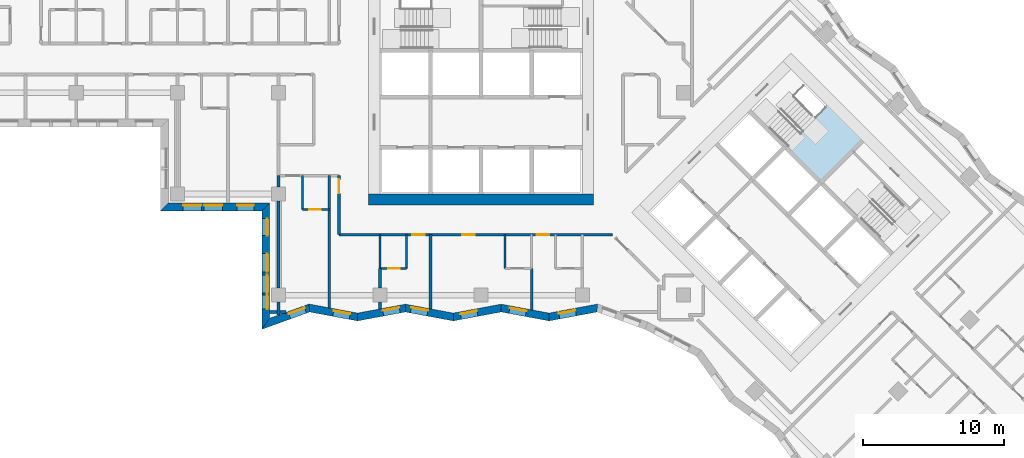
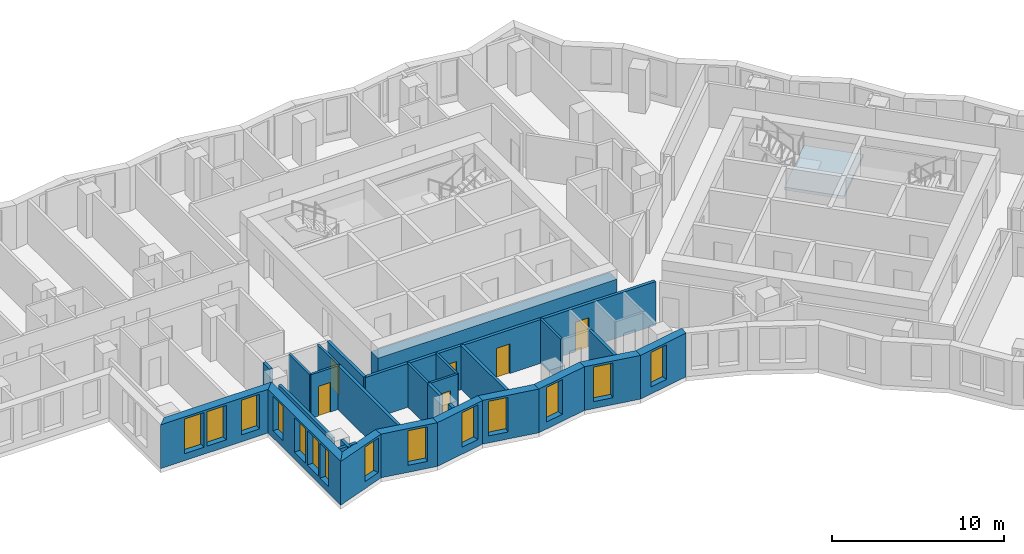
# One storey, part 2 of 14: 28 walls, 14 windows, 6 doors, 1 slab, 20 openings, 1 element without a shape of its own.
"""IFC4 building model written with IfcOpenShell, lengths in metres."""

from ifc_helpers import new_model, si_unit, direction, frame, frame_2d, origin, place, context, subcontext, project, spatial, polyline, rectangle, outline, extrude, material, layer, layer_set, type_object, element, fill, aggregate, save


model = new_model("IFC4")

# Units and contexts
model_context = context("Model", 3, precision=1e-05, world=origin(), true_north=direction((0.0, 1.0)))
body_context = subcontext(model_context, "Body", "Model", "MODEL_VIEW")
ifc_project = project(units=[si_unit("LENGTHUNIT", "METRE"), si_unit("AREAUNIT", "SQUARE_METRE"), si_unit("VOLUMEUNIT", "CUBIC_METRE"), si_unit("PLANEANGLEUNIT", "RADIAN"), si_unit("MASSUNIT", "GRAM", prefix="KILO")], contexts=[model_context])

# Site, building, storey
site_placement = place(None, origin())
site = spatial("IfcSite", under=ifc_project, at=site_placement, CompositionType="ELEMENT")
building_placement = place(site_placement, origin())
building = spatial("IfcBuilding", under=site, at=building_placement, Name="Windrow Commons", CompositionType="ELEMENT")
storey_placement = place(building_placement, frame((0.0, 0.0, 118.6)))
storey = spatial("IfcBuildingStorey", under=building, at=storey_placement, Name="L32", CompositionType="ELEMENT", Elevation=118.6)

# Stair, slab
ifc_material_1 = material(Name="Concrete C40/50", Category="concrete")
stair_type = type_object("IfcStairType", Name="Core stair", PredefinedType="HALF_TURN_STAIR", material=ifc_material_1)
stair_placement = place(storey_placement, origin())
stair = element("IfcStair", 1, at=stair_placement, inside=storey, type_object=stair_type, Name="L32 Exit stair B1 core B", PredefinedType="HALF_TURN_STAIR")
ifc_material_2 = material(Name="Concrete C40/50", Category="concrete")
ifc_layer_1 = layer(ifc_material_2, 0.2)
ifc_layer_set_1 = layer_set([ifc_layer_1], Name="Core stair landing")
slab_type = type_object("IfcSlabType", Name="Core stair landing", PredefinedType="LANDING", material=ifc_layer_set_1)
slab_placement = place(storey_placement, frame((0.0, 0.0, 1.5)))
slab = element("IfcSlab", 2, at=slab_placement, type_object=slab_type, Name="ST-B1 landing 1", PredefinedType="LANDING", context=body_context, shape_type="SweptSolid", body=[
    extrude(outline(polyline([(86.3559, 53.6718), (88.8874, 51.1403), (91.9986, 54.2516), (89.4672, 56.7831), (86.3559, 53.6718)])), origin(), (0.0, 0.0, 1.0), 0.2),
])
aggregate(stair, [slab])

# Wall, openings, windows
ifc_material_3 = material(Name="Brick masonry, red clay brick", Category="masonry")
ifc_layer_2 = layer(ifc_material_3, 0.55)
ifc_layer_set_2 = layer_set([ifc_layer_2], Name="Brick facade wall 550")
wall_type_1 = type_object("IfcWallType", Name="Brick facade wall 550", PredefinedType="SOLIDWALL", material=ifc_layer_set_2)
wall_1_placement = place(storey_placement, frame((42.275, 49.475, 0.0), z_axis=(0.0, 0.0, 1.0), x_axis=(1.0, 0.0, 0.0)))
wall_1 = element("IfcWall", 3, at=wall_1_placement, inside=storey, type_object=wall_type_1, Name="Brick facade wall L32 42", PredefinedType="SOLIDWALL", context=body_context, shape_type="SweptSolid", body=[
    extrude(outline(polyline([(-0.275, -0.275), (6.925, -0.275), (7.475, 0.275), (0.275, 0.275), (-0.275, -0.275)])), origin(), (0.0, 0.0, 1.0), 3.1),
])
opening_1_placement = place(wall_1_placement, frame((1.325, 0.0, 0.5)))
opening_1 = element("IfcOpeningElement", 4, at=opening_1_placement, cuts=wall_1, Name="Opening W1P", PredefinedType="OPENING", context=body_context, shape_type="SweptSolid", body=[
    extrude(rectangle(XDim=1.3, YDim=2.45, at=frame_2d((0.65, 1.225))), frame((0.0, 0.285, 0.0), z_axis=(0.0, -1.0, 0.0), x_axis=(1.0, 0.0, 0.0)), (0.0, 0.0, 1.0), 0.57),
])
opening_2_placement = place(wall_1_placement, frame((2.825, 0.0, 0.5)))
opening_2 = element("IfcOpeningElement", 5, at=opening_2_placement, cuts=wall_1, Name="Opening W1P", PredefinedType="OPENING", context=body_context, shape_type="SweptSolid", body=[
    extrude(rectangle(XDim=1.3, YDim=2.45, at=frame_2d((0.65, 1.225))), frame((0.0, 0.285, 0.0), z_axis=(0.0, -1.0, 0.0), x_axis=(1.0, 0.0, 0.0)), (0.0, 0.0, 1.0), 0.57),
])
opening_3_placement = place(wall_1_placement, frame((5.1625, 0.0, 0.5)))
opening_3 = element("IfcOpeningElement", 6, at=opening_3_placement, cuts=wall_1, Name="Opening W7D", PredefinedType="OPENING", context=body_context, shape_type="SweptSolid", body=[
    extrude(rectangle(XDim=1.2, YDim=2.45, at=frame_2d((0.6, 1.225))), frame((0.0, 0.285, 0.0), z_axis=(0.0, -1.0, 0.0), x_axis=(1.0, 0.0, 0.0)), (0.0, 0.0, 1.0), 0.57),
])
ifc_material_4 = material(Name="Clear float glass in anodised aluminium frame", Category="aluminium")
window_type_1 = type_object("IfcWindowType", Name="Window W1P pair 1300x2450", PartitioningType="SINGLE_PANEL", PredefinedType="WINDOW", material=ifc_material_4)
window_1_placement = place(opening_1_placement, origin())
window_1 = element("IfcWindow", 7, at=window_1_placement, inside=storey, type_object=window_type_1, Name="Window L32 42.1A", OverallHeight=2.45, OverallWidth=1.3, PartitioningType="SINGLE_PANEL", PredefinedType="WINDOW", context=body_context, shape_type="SweptSolid", body=[
    extrude(rectangle(XDim=1.3, YDim=2.45, at=frame_2d((0.65, 1.225))), frame((0.0, 0.155, 0.0), z_axis=(0.0, -1.0, 0.0), x_axis=(1.0, 0.0, 0.0)), (0.0, 0.0, 1.0), 0.06),
])
fill(opening_1, window_1)
window_2_placement = place(opening_2_placement, origin())
window_2 = element("IfcWindow", 8, at=window_2_placement, inside=storey, type_object=window_type_1, Name="Window L32 42.1B", OverallHeight=2.45, OverallWidth=1.3, PartitioningType="SINGLE_PANEL", PredefinedType="WINDOW", context=body_context, shape_type="SweptSolid", body=[
    extrude(rectangle(XDim=1.3, YDim=2.45, at=frame_2d((0.65, 1.225))), frame((0.0, 0.155, 0.0), z_axis=(0.0, -1.0, 0.0), x_axis=(1.0, 0.0, 0.0)), (0.0, 0.0, 1.0), 0.06),
])
fill(opening_2, window_2)
ifc_material_5 = material(Name="Clear float glass in anodised aluminium frame", Category="aluminium")
window_type_2 = type_object("IfcWindowType", Name="Window W7 notch 1200x2450", PartitioningType="SINGLE_PANEL", PredefinedType="WINDOW", material=ifc_material_5)
window_3_placement = place(opening_3_placement, origin())
window_3 = element("IfcWindow", 9, at=window_3_placement, inside=storey, type_object=window_type_2, Name="Window L32 42.2", OverallHeight=2.45, OverallWidth=1.2, PartitioningType="SINGLE_PANEL", PredefinedType="WINDOW", context=body_context, shape_type="SweptSolid", body=[
    extrude(rectangle(XDim=1.2, YDim=2.45, at=frame_2d((0.6, 1.225))), frame((0.0, 0.155, 0.0), z_axis=(0.0, -1.0, 0.0), x_axis=(1.0, 0.0, 0.0)), (0.0, 0.0, 1.0), 0.06),
])
fill(opening_3, window_3)

wall_2_placement = place(storey_placement, frame((49.475, 49.475, 0.0), z_axis=(0.0, 0.0, 1.0), x_axis=(0.0, -1.0, 0.0)))
wall_2 = element("IfcWall", 10, at=wall_2_placement, inside=storey, type_object=wall_type_1, Name="Brick facade wall L32 43", PredefinedType="SOLIDWALL", context=body_context, shape_type="SweptSolid", body=[
    extrude(outline(polyline([(0.275, -0.275), (8.708, -0.275), (7.924, 0.275), (-0.275, 0.275), (0.275, -0.275)])), origin(), (0.0, 0.0, 1.0), 3.1),
])
opening_4_placement = place(wall_2_placement, frame((3.325, 0.0, 0.5)))
opening_4 = element("IfcOpeningElement", 11, at=opening_4_placement, cuts=wall_2, Name="Opening W1P", PredefinedType="OPENING", context=body_context, shape_type="SweptSolid", body=[
    extrude(rectangle(XDim=1.3, YDim=2.45, at=frame_2d((0.65, 1.225))), frame((0.0, 0.285, 0.0), z_axis=(0.0, -1.0, 0.0), x_axis=(1.0, 0.0, 0.0)), (0.0, 0.0, 1.0), 0.57),
])
opening_5_placement = place(wall_2_placement, frame((4.825, 0.0, 0.5)))
opening_5 = element("IfcOpeningElement", 12, at=opening_5_placement, cuts=wall_2, Name="Opening W1P", PredefinedType="OPENING", context=body_context, shape_type="SweptSolid", body=[
    extrude(rectangle(XDim=1.3, YDim=2.45, at=frame_2d((0.65, 1.225))), frame((0.0, 0.285, 0.0), z_axis=(0.0, -1.0, 0.0), x_axis=(1.0, 0.0, 0.0)), (0.0, 0.0, 1.0), 0.57),
])
opening_6_placement = place(wall_2_placement, frame((0.8375, 0.0, 0.5)))
opening_6 = element("IfcOpeningElement", 13, at=opening_6_placement, cuts=wall_2, Name="Opening W7D", PredefinedType="OPENING", context=body_context, shape_type="SweptSolid", body=[
    extrude(rectangle(XDim=1.2, YDim=2.45, at=frame_2d((0.6, 1.225))), frame((0.0, 0.285, 0.0), z_axis=(0.0, -1.0, 0.0), x_axis=(1.0, 0.0, 0.0)), (0.0, 0.0, 1.0), 0.57),
])
opening_7_placement = place(wall_2_placement, frame((6.275, 0.0, 0.45)))
opening_7 = element("IfcOpeningElement", 14, at=opening_7_placement, cuts=wall_2, Name="Opening W1S", PredefinedType="OPENING", context=body_context, shape_type="SweptSolid", body=[
    extrude(rectangle(XDim=1.0, YDim=2.5, at=frame_2d((0.5, 1.25))), frame((0.0, 0.285, 0.0), z_axis=(0.0, -1.0, 0.0), x_axis=(1.0, 0.0, 0.0)), (0.0, 0.0, 1.0), 0.57),
])
window_4_placement = place(opening_4_placement, origin())
window_4 = element("IfcWindow", 15, at=window_4_placement, inside=storey, type_object=window_type_1, Name="Window L32 43.1A", OverallHeight=2.45, OverallWidth=1.3, PartitioningType="SINGLE_PANEL", PredefinedType="WINDOW", context=body_context, shape_type="SweptSolid", body=[
    extrude(rectangle(XDim=1.3, YDim=2.45, at=frame_2d((0.65, 1.225))), frame((0.0, 0.155, 0.0), z_axis=(0.0, -1.0, 0.0), x_axis=(1.0, 0.0, 0.0)), (0.0, 0.0, 1.0), 0.06),
])
fill(opening_4, window_4)
window_5_placement = place(opening_5_placement, origin())
window_5 = element("IfcWindow", 16, at=window_5_placement, inside=storey, type_object=window_type_1, Name="Window L32 43.1B", OverallHeight=2.45, OverallWidth=1.3, PartitioningType="SINGLE_PANEL", PredefinedType="WINDOW", context=body_context, shape_type="SweptSolid", body=[
    extrude(rectangle(XDim=1.3, YDim=2.45, at=frame_2d((0.65, 1.225))), frame((0.0, 0.155, 0.0), z_axis=(0.0, -1.0, 0.0), x_axis=(1.0, 0.0, 0.0)), (0.0, 0.0, 1.0), 0.06),
])
fill(opening_5, window_5)
ifc_material_6 = material(Name="Clear float glass in anodised aluminium frame", Category="aluminium")
window_type_3 = type_object("IfcWindowType", Name="Window W1S slit 1000x2500", PartitioningType="SINGLE_PANEL", PredefinedType="WINDOW", material=ifc_material_6)
window_6_placement = place(opening_7_placement, origin())
window_6 = element("IfcWindow", 17, at=window_6_placement, inside=storey, type_object=window_type_3, Name="Window L32 43.3A", OverallHeight=2.5, OverallWidth=1.0, PartitioningType="SINGLE_PANEL", PredefinedType="WINDOW", context=body_context, shape_type="SweptSolid", body=[
    extrude(rectangle(XDim=1.0, YDim=2.5, at=frame_2d((0.5, 1.25))), frame((0.0, 0.155, 0.0), z_axis=(0.0, -1.0, 0.0), x_axis=(1.0, 0.0, 0.0)), (0.0, 0.0, 1.0), 0.06),
])
fill(opening_7, window_6)
window_7_placement = place(opening_6_placement, origin())
window_7 = element("IfcWindow", 18, at=window_7_placement, inside=storey, type_object=window_type_2, Name="Window L32 43.2", OverallHeight=2.45, OverallWidth=1.2, PartitioningType="SINGLE_PANEL", PredefinedType="WINDOW", context=body_context, shape_type="SweptSolid", body=[
    extrude(rectangle(XDim=1.2, YDim=2.45, at=frame_2d((0.6, 1.225))), frame((0.0, 0.155, 0.0), z_axis=(0.0, -1.0, 0.0), x_axis=(1.0, 0.0, 0.0)), (0.0, 0.0, 1.0), 0.06),
])
fill(opening_6, window_7)

# Wall, opening, window
wall_3_placement = place(storey_placement, frame((49.475, 41.159, 0.0), z_axis=(0.0, 0.0, 1.0), x_axis=(0.9402923967, 0.3403677552, 0.0)))
wall_3 = element("IfcWall", 19, at=wall_3_placement, inside=storey, type_object=wall_type_1, Name="Brick facade wall L32 44", PredefinedType="SOLIDWALL", context=body_context, shape_type="SweptSolid", body=[
    extrude(outline(polyline([(-0.392, -0.275), (3.2305, -0.275), (3.38, 0.275), (0.392, 0.275), (-0.392, -0.275)])), origin(), (0.0, 0.0, 1.0), 3.1),
])
opening_8_placement = place(wall_3_placement, frame((1.7945, 0.0, 0.5)))
opening_8 = element("IfcOpeningElement", 20, at=opening_8_placement, cuts=wall_3, Name="Opening W7D", PredefinedType="OPENING", context=body_context, shape_type="SweptSolid", body=[
    extrude(rectangle(XDim=1.2, YDim=2.45, at=frame_2d((0.6, 1.225))), frame((0.0, 0.285, 0.0), z_axis=(0.0, -1.0, 0.0), x_axis=(1.0, 0.0, 0.0)), (0.0, 0.0, 1.0), 0.57),
])
window_8_placement = place(opening_8_placement, origin())
window_8 = element("IfcWindow", 21, at=window_8_placement, inside=storey, type_object=window_type_2, Name="Window L32 44.1", OverallHeight=2.45, OverallWidth=1.2, PartitioningType="SINGLE_PANEL", PredefinedType="WINDOW", context=body_context, shape_type="SweptSolid", body=[
    extrude(rectangle(XDim=1.2, YDim=2.45, at=frame_2d((0.6, 1.225))), frame((0.0, 0.155, 0.0), z_axis=(0.0, -1.0, 0.0), x_axis=(1.0, 0.0, 0.0)), (0.0, 0.0, 1.0), 0.06),
])
fill(opening_8, window_8)

wall_4_placement = place(storey_placement, frame((52.5829, 42.284, 0.0), z_axis=(0.0, 0.0, 1.0), x_axis=(0.9831685115, -0.1827010621, 0.0)))
wall_4 = element("IfcWall", 22, at=wall_4_placement, inside=storey, type_object=wall_type_1, Name="Brick facade wall L32 45", PredefinedType="SOLIDWALL", context=body_context, shape_type="SweptSolid", body=[
    extrude(outline(polyline([(0.0748, -0.275), (3.5393, -0.275), (3.4371, 0.275), (-0.0748, 0.275), (0.0748, -0.275)])), origin(), (0.0, 0.0, 1.0), 3.1),
])
opening_9_placement = place(wall_4_placement, frame((1.7392, 0.0, 0.5)))
opening_9 = element("IfcOpeningElement", 23, at=opening_9_placement, cuts=wall_4, Name="Opening W7D", PredefinedType="OPENING", context=body_context, shape_type="SweptSolid", body=[
    extrude(rectangle(XDim=1.2, YDim=2.45, at=frame_2d((0.6, 1.225))), frame((0.0, 0.285, 0.0), z_axis=(0.0, -1.0, 0.0), x_axis=(1.0, 0.0, 0.0)), (0.0, 0.0, 1.0), 0.57),
])
window_9_placement = place(opening_9_placement, origin())
window_9 = element("IfcWindow", 24, at=window_9_placement, inside=storey, type_object=window_type_2, Name="Window L32 45.1", OverallHeight=2.45, OverallWidth=1.2, PartitioningType="SINGLE_PANEL", PredefinedType="WINDOW", context=body_context, shape_type="SweptSolid", body=[
    extrude(rectangle(XDim=1.2, YDim=2.45, at=frame_2d((0.6, 1.225))), frame((0.0, 0.155, 0.0), z_axis=(0.0, -1.0, 0.0), x_axis=(1.0, 0.0, 0.0)), (0.0, 0.0, 1.0), 0.06),
])
fill(opening_9, window_9)

wall_5_placement = place(storey_placement, frame((56.0124, 41.6467, 0.0), z_axis=(0.0, 0.0, 1.0), x_axis=(0.9831660022, 0.1827145649, 0.0)))
wall_5 = element("IfcWall", 25, at=wall_5_placement, inside=storey, type_object=wall_type_1, Name="Brick facade wall L32 46", PredefinedType="SOLIDWALL", context=body_context, shape_type="SweptSolid", body=[
    extrude(outline(polyline([(-0.0511, -0.275), (3.4134, -0.275), (3.5156, 0.275), (0.0511, 0.275), (-0.0511, -0.275)])), origin(), (0.0, 0.0, 1.0), 3.1),
])
opening_10_placement = place(wall_5_placement, frame((1.8397, 0.0, 0.5)))
opening_10 = element("IfcOpeningElement", 26, at=opening_10_placement, cuts=wall_5, Name="Opening W7D", PredefinedType="OPENING", context=body_context, shape_type="SweptSolid", body=[
    extrude(rectangle(XDim=1.2, YDim=2.45, at=frame_2d((0.6, 1.225))), frame((0.0, 0.285, 0.0), z_axis=(0.0, -1.0, 0.0), x_axis=(1.0, 0.0, 0.0)), (0.0, 0.0, 1.0), 0.57),
])
window_10_placement = place(opening_10_placement, origin())
window_10 = element("IfcWindow", 27, at=window_10_placement, inside=storey, type_object=window_type_2, Name="Window L32 46.1", OverallHeight=2.45, OverallWidth=1.2, PartitioningType="SINGLE_PANEL", PredefinedType="WINDOW", context=body_context, shape_type="SweptSolid", body=[
    extrude(rectangle(XDim=1.2, YDim=2.45, at=frame_2d((0.6, 1.225))), frame((0.0, 0.155, 0.0), z_axis=(0.0, -1.0, 0.0), x_axis=(1.0, 0.0, 0.0)), (0.0, 0.0, 1.0), 0.06),
])
fill(opening_10, window_10)

wall_6_placement = place(storey_placement, frame((59.4185, 42.2797, 0.0), z_axis=(0.0, 0.0, 1.0), x_axis=(0.9831669658, -0.1827093798, 0.0)))
wall_6 = element("IfcWall", 28, at=wall_6_placement, inside=storey, type_object=wall_type_1, Name="Brick facade wall L32 47", PredefinedType="SOLIDWALL", context=body_context, shape_type="SweptSolid", body=[
    extrude(outline(polyline([(0.0511, -0.275), (3.5156, -0.275), (3.4134, 0.275), (-0.0511, 0.275), (0.0511, -0.275)])), origin(), (0.0, 0.0, 1.0), 3.1),
])
opening_11_placement = place(wall_6_placement, frame((0.406, 0.0, 0.5)))
opening_11 = element("IfcOpeningElement", 29, at=opening_11_placement, cuts=wall_6, Name="Opening W7D", PredefinedType="OPENING", context=body_context, shape_type="SweptSolid", body=[
    extrude(rectangle(XDim=1.2, YDim=2.45, at=frame_2d((0.6, 1.225))), frame((0.0, 0.285, 0.0), z_axis=(0.0, -1.0, 0.0), x_axis=(1.0, 0.0, 0.0)), (0.0, 0.0, 1.0), 0.57),
])
window_11_placement = place(opening_11_placement, origin())
window_11 = element("IfcWindow", 30, at=window_11_placement, inside=storey, type_object=window_type_2, Name="Window L32 47.1", OverallHeight=2.45, OverallWidth=1.2, PartitioningType="SINGLE_PANEL", PredefinedType="WINDOW", context=body_context, shape_type="SweptSolid", body=[
    extrude(rectangle(XDim=1.2, YDim=2.45, at=frame_2d((0.6, 1.225))), frame((0.0, 0.155, 0.0), z_axis=(0.0, -1.0, 0.0), x_axis=(1.0, 0.0, 0.0)), (0.0, 0.0, 1.0), 0.06),
])
fill(opening_11, window_11)

wall_7_placement = place(storey_placement, frame((62.8247, 41.6467, 0.0), z_axis=(0.0, 0.0, 1.0), x_axis=(0.9831669658, 0.1827093798, 0.0)))
wall_7 = element("IfcWall", 31, at=wall_7_placement, inside=storey, type_object=wall_type_1, Name="Brick facade wall L32 48", PredefinedType="SOLIDWALL", context=body_context, shape_type="SweptSolid", body=[
    extrude(outline(polyline([(-0.0511, -0.275), (3.4134, -0.275), (3.5156, 0.275), (0.0511, 0.275), (-0.0511, -0.275)])), origin(), (0.0, 0.0, 1.0), 3.1),
])
opening_12_placement = place(wall_7_placement, frame((0.5301, 0.0, 0.5)))
opening_12 = element("IfcOpeningElement", 32, at=opening_12_placement, cuts=wall_7, Name="Opening W7D", PredefinedType="OPENING", context=body_context, shape_type="SweptSolid", body=[
    extrude(rectangle(XDim=1.2, YDim=2.45, at=frame_2d((0.6, 1.225))), frame((0.0, 0.285, 0.0), z_axis=(0.0, -1.0, 0.0), x_axis=(1.0, 0.0, 0.0)), (0.0, 0.0, 1.0), 0.57),
])
window_12_placement = place(opening_12_placement, origin())
window_12 = element("IfcWindow", 33, at=window_12_placement, inside=storey, type_object=window_type_2, Name="Window L32 48.1", OverallHeight=2.45, OverallWidth=1.2, PartitioningType="SINGLE_PANEL", PredefinedType="WINDOW", context=body_context, shape_type="SweptSolid", body=[
    extrude(rectangle(XDim=1.2, YDim=2.45, at=frame_2d((0.6, 1.225))), frame((0.0, 0.155, 0.0), z_axis=(0.0, -1.0, 0.0), x_axis=(1.0, 0.0, 0.0)), (0.0, 0.0, 1.0), 0.06),
])
fill(opening_12, window_12)

wall_8_placement = place(storey_placement, frame((66.2309, 42.2797, 0.0), z_axis=(0.0, 0.0, 1.0), x_axis=(0.9831669658, -0.1827093798, 0.0)))
wall_8 = element("IfcWall", 34, at=wall_8_placement, inside=storey, type_object=wall_type_1, Name="Brick facade wall L32 49", PredefinedType="SOLIDWALL", context=body_context, shape_type="SweptSolid", body=[
    extrude(outline(polyline([(0.0511, -0.275), (3.5156, -0.275), (3.4134, 0.275), (-0.0511, 0.275), (0.0511, -0.275)])), origin(), (0.0, 0.0, 1.0), 3.1),
])
opening_13_placement = place(wall_8_placement, frame((0.6031, 0.0, 0.5)))
opening_13 = element("IfcOpeningElement", 35, at=opening_13_placement, cuts=wall_8, Name="Opening W7D", PredefinedType="OPENING", context=body_context, shape_type="SweptSolid", body=[
    extrude(rectangle(XDim=1.2, YDim=2.45, at=frame_2d((0.6, 1.225))), frame((0.0, 0.285, 0.0), z_axis=(0.0, -1.0, 0.0), x_axis=(1.0, 0.0, 0.0)), (0.0, 0.0, 1.0), 0.57),
])
window_13_placement = place(opening_13_placement, origin())
window_13 = element("IfcWindow", 36, at=window_13_placement, inside=storey, type_object=window_type_2, Name="Window L32 49.1", OverallHeight=2.45, OverallWidth=1.2, PartitioningType="SINGLE_PANEL", PredefinedType="WINDOW", context=body_context, shape_type="SweptSolid", body=[
    extrude(rectangle(XDim=1.2, YDim=2.45, at=frame_2d((0.6, 1.225))), frame((0.0, 0.155, 0.0), z_axis=(0.0, -1.0, 0.0), x_axis=(1.0, 0.0, 0.0)), (0.0, 0.0, 1.0), 0.06),
])
fill(opening_13, window_13)

wall_9_placement = place(storey_placement, frame((69.6371, 41.6467, 0.0), z_axis=(0.0, 0.0, 1.0), x_axis=(0.9831675545, 0.1827062117, 0.0)))
wall_9 = element("IfcWall", 37, at=wall_9_placement, inside=storey, type_object=wall_type_1, Name="Brick facade wall L32 50", PredefinedType="SOLIDWALL", context=body_context, shape_type="SweptSolid", body=[
    extrude(outline(polyline([(-0.0511, -0.275), (3.4134, -0.275), (3.563, 0.275), (0.0511, 0.275), (-0.0511, -0.275)])), origin(), (0.0, 0.0, 1.0), 3.1),
])
opening_14_placement = place(wall_9_placement, frame((0.7272, 0.0, 0.5)))
opening_14 = element("IfcOpeningElement", 38, at=opening_14_placement, cuts=wall_9, Name="Opening W7D", PredefinedType="OPENING", context=body_context, shape_type="SweptSolid", body=[
    extrude(rectangle(XDim=1.2, YDim=2.45, at=frame_2d((0.6, 1.225))), frame((0.0, 0.285, 0.0), z_axis=(0.0, -1.0, 0.0), x_axis=(1.0, 0.0, 0.0)), (0.0, 0.0, 1.0), 0.57),
])
window_14_placement = place(opening_14_placement, origin())
window_14 = element("IfcWindow", 39, at=window_14_placement, inside=storey, type_object=window_type_2, Name="Window L32 50.1", OverallHeight=2.45, OverallWidth=1.2, PartitioningType="SINGLE_PANEL", PredefinedType="WINDOW", context=body_context, shape_type="SweptSolid", body=[
    extrude(rectangle(XDim=1.2, YDim=2.45, at=frame_2d((0.6, 1.225))), frame((0.0, 0.155, 0.0), z_axis=(0.0, -1.0, 0.0), x_axis=(1.0, 0.0, 0.0)), (0.0, 0.0, 1.0), 0.06),
])
fill(opening_14, window_14)

# Wall, openings, doors
ifc_material_7 = material(Name="Blockwork partition", Category="masonry")
ifc_layer_3 = layer(ifc_material_7, 0.2)
ifc_layer_set_3 = layer_set([ifc_layer_3], Name="IW-CORRIDOR-200")
wall_type_2 = type_object("IfcWallType", Name="IW-CORRIDOR-200", PredefinedType="PARTITIONING", material=ifc_layer_set_3)
wall_10_placement = place(storey_placement, frame((54.7, 47.5, 0.0), z_axis=(0.0, 0.0, 1.0), x_axis=(1.0, 0.0, 0.0)))
wall_10 = element("IfcWall", 40, at=wall_10_placement, inside=storey, type_object=wall_type_2, Name="W-L32-W003", PredefinedType="PARTITIONING", context=body_context, shape_type="SweptSolid", body=[
    extrude(rectangle(XDim=19.442, YDim=0.2, at=frame_2d((9.721, 0.0))), origin(), (0.0, 0.0, 1.0), 3.1),
])
opening_15_placement = place(wall_10_placement, frame((5.2, 0.0, 0.0)))
opening_15 = element("IfcOpeningElement", 41, at=opening_15_placement, cuts=wall_10, Name="Opening D109S", PredefinedType="OPENING", context=body_context, shape_type="SweptSolid", body=[
    extrude(rectangle(XDim=0.9, YDim=2.1, at=frame_2d((0.45, 1.05))), frame((0.0, 0.11, 0.0), z_axis=(0.0, -1.0, 0.0), x_axis=(1.0, 0.0, 0.0)), (0.0, 0.0, 1.0), 0.22),
])
opening_16_placement = place(wall_10_placement, frame((8.7566, 0.0, 0.0)))
opening_16 = element("IfcOpeningElement", 42, at=opening_16_placement, cuts=wall_10, Name="Opening D109F", PredefinedType="OPENING", context=body_context, shape_type="SweptSolid", body=[
    extrude(rectangle(XDim=0.9, YDim=2.1, at=frame_2d((0.45, 1.05))), frame((0.0, 0.11, 0.0), z_axis=(0.0, -1.0, 0.0), x_axis=(1.0, 0.0, 0.0)), (0.0, 0.0, 1.0), 0.22),
])
opening_17_placement = place(wall_10_placement, frame((14.05, 0.0, 0.0)))
opening_17 = element("IfcOpeningElement", 43, at=opening_17_placement, cuts=wall_10, Name="Opening D109S", PredefinedType="OPENING", context=body_context, shape_type="SweptSolid", body=[
    extrude(rectangle(XDim=0.9, YDim=2.1, at=frame_2d((0.45, 1.05))), frame((0.0, 0.11, 0.0), z_axis=(0.0, -1.0, 0.0), x_axis=(1.0, 0.0, 0.0)), (0.0, 0.0, 1.0), 0.22),
])
ifc_material_8 = material(Name="Timber door leaf", Category="wood")
door_type_1 = type_object("IfcDoorType", Name="DT-BEDROOM-900", OperationType="SINGLE_SWING_LEFT", PredefinedType="DOOR", material=ifc_material_8)
door_1_placement = place(opening_15_placement, origin())
door_1 = element("IfcDoor", 44, at=door_1_placement, inside=storey, type_object=door_type_1, Name="D-L32-D012", OperationType="SINGLE_SWING_LEFT", OverallHeight=2.1, OverallWidth=0.9, PredefinedType="DOOR", context=body_context, shape_type="SweptSolid", body=[
    extrude(rectangle(XDim=0.9, YDim=2.1, at=frame_2d((0.45, 1.05))), frame((0.0, 0.025, 0.0), z_axis=(0.0, -1.0, 0.0), x_axis=(1.0, 0.0, 0.0)), (0.0, 0.0, 1.0), 0.05),
])
fill(opening_15, door_1)
door_2_placement = place(opening_16_placement, origin())
door_2 = element("IfcDoor", 45, at=door_2_placement, inside=storey, type_object=door_type_1, Name="D-L32-D014", OperationType="SINGLE_SWING_RIGHT", OverallHeight=2.1, OverallWidth=0.9, PredefinedType="DOOR", context=body_context, shape_type="SweptSolid", body=[
    extrude(rectangle(XDim=0.9, YDim=2.1, at=frame_2d((0.45, 1.05))), frame((0.0, 0.025, 0.0), z_axis=(0.0, -1.0, 0.0), x_axis=(1.0, 0.0, 0.0)), (0.0, 0.0, 1.0), 0.05),
])
fill(opening_16, door_2)
door_3_placement = place(opening_17_placement, origin())
door_3 = element("IfcDoor", 46, at=door_3_placement, inside=storey, type_object=door_type_1, Name="D-L32-D016", OperationType="SINGLE_SWING_RIGHT", OverallHeight=2.1, OverallWidth=0.9, PredefinedType="DOOR", context=body_context, shape_type="SweptSolid", body=[
    extrude(rectangle(XDim=0.9, YDim=2.1, at=frame_2d((0.45, 1.05))), frame((0.0, 0.025, 0.0), z_axis=(0.0, -1.0, 0.0), x_axis=(1.0, 0.0, 0.0)), (0.0, 0.0, 1.0), 0.05),
])
fill(opening_17, door_3)

# Wall, opening, door
wall_11_placement = place(storey_placement, frame((54.7, 47.5, 0.0), z_axis=(0.0, 0.0, 1.0), x_axis=(0.0, 1.0, 0.0)))
wall_11 = element("IfcWall", 47, at=wall_11_placement, inside=storey, type_object=wall_type_2, Name="W-L32-W050", PredefinedType="PARTITIONING", context=body_context, shape_type="SweptSolid", body=[
    extrude(rectangle(XDim=4.2, YDim=0.2, at=frame_2d((2.1, 0.0))), origin(), (0.0, 0.0, 1.0), 3.1),
])
opening_18_placement = place(wall_11_placement, frame((2.9369, 0.0, 0.0)))
opening_18 = element("IfcOpeningElement", 48, at=opening_18_placement, cuts=wall_11, Name="Opening D310F", PredefinedType="OPENING", context=body_context, shape_type="SweptSolid", body=[
    extrude(rectangle(XDim=1.0, YDim=2.1, at=frame_2d((0.5, 1.05))), frame((0.0, 0.11, 0.0), z_axis=(0.0, -1.0, 0.0), x_axis=(1.0, 0.0, 0.0)), (0.0, 0.0, 1.0), 0.22),
])
ifc_material_9 = material(Name="Timber door leaf", Category="wood")
door_type_2 = type_object("IfcDoorType", Name="DT-AMENITY-1000", OperationType="SINGLE_SWING_LEFT", PredefinedType="DOOR", material=ifc_material_9)
door_4_placement = place(opening_18_placement, origin())
door_4 = element("IfcDoor", 49, at=door_4_placement, inside=storey, type_object=door_type_2, Name="D-L32-D009", OperationType="SINGLE_SWING_RIGHT", OverallHeight=2.1, OverallWidth=1.0, PredefinedType="DOOR", context=body_context, shape_type="SweptSolid", body=[
    extrude(rectangle(XDim=1.0, YDim=2.1, at=frame_2d((0.5, 1.05))), frame((0.0, 0.025, 0.0), z_axis=(0.0, -1.0, 0.0), x_axis=(1.0, 0.0, 0.0)), (0.0, 0.0, 1.0), 0.05),
])
fill(opening_18, door_4)

# Walls
ifc_material_10 = material(Name="Blockwork partition", Category="masonry")
ifc_layer_4 = layer(ifc_material_10, 0.15)
ifc_layer_set_4 = layer_set([ifc_layer_4], Name="IW-ENSUITE-150")
wall_type_3 = type_object("IfcWallType", Name="IW-ENSUITE-150", PredefinedType="PARTITIONING", material=ifc_layer_set_4)
for number, where, z_axis, x_axis, name in (
    (50, (52.1, 49.3, 0.0), (0.0, 0.0, 1.0), (0.0, 1.0, 0.0), "W-L32-W086"),
    (51, (54.0, 49.3, 0.0), (0.0, 0.0, 1.0), (0.0, 1.0, 0.0), "W-L32-W087"),
    (52, (59.5, 45.1, 0.0), (0.0, 0.0, 1.0), (0.0, 1.0, 0.0), "W-L32-W099"),
    (53, (57.6, 45.1, 0.0), (0.0, 0.0, 1.0), (0.0, 1.0, 0.0), "W-L32-W100"),
    (54, (66.5, 45.1, 0.0), (0.0, 0.0, 1.0), (0.0, 1.0, 0.0), "W-L32-W101"),
):
    element("IfcWall", number, at=place(storey_placement, frame(where, z_axis=z_axis, x_axis=x_axis)), inside=storey, type_object=wall_type_3, Name=name, PredefinedType="PARTITIONING", context=body_context, shape_type="SweptSolid", body=[
        extrude(rectangle(XDim=2.4, YDim=0.15, at=frame_2d((1.2, 0.0))), origin(), (0.0, 0.0, 1.0), 3.1),
    ])

# Wall, opening, door
wall_12_placement = place(storey_placement, frame((52.1, 49.3, 0.0), z_axis=(0.0, 0.0, 1.0), x_axis=(1.0, 0.0, 0.0)))
wall_12 = element("IfcWall", 55, at=wall_12_placement, inside=storey, type_object=wall_type_3, Name="W-L32-W147", PredefinedType="PARTITIONING", context=body_context, shape_type="SweptSolid", body=[
    extrude(rectangle(XDim=1.9, YDim=0.15, at=frame_2d((0.95, 0.0))), origin(), (0.0, 0.0, 1.0), 3.1),
])
opening_19_placement = place(wall_12_placement, frame((0.4931, 0.0, 0.0)))
opening_19 = element("IfcOpeningElement", 56, at=opening_19_placement, cuts=wall_12, Name="Opening D208N", PredefinedType="OPENING", context=body_context, shape_type="SweptSolid", body=[
    extrude(rectangle(XDim=0.8, YDim=2.1, at=frame_2d((0.4, 1.05))), frame((0.0, 0.085, 0.0), z_axis=(0.0, -1.0, 0.0), x_axis=(1.0, 0.0, 0.0)), (0.0, 0.0, 1.0), 0.17),
])
ifc_material_11 = material(Name="Timber door leaf", Category="wood")
door_type_3 = type_object("IfcDoorType", Name="DT-ENSUITE-800", OperationType="SINGLE_SWING_LEFT", PredefinedType="DOOR", material=ifc_material_11)
door_5_placement = place(opening_19_placement, origin())
door_5 = element("IfcDoor", 57, at=door_5_placement, inside=storey, type_object=door_type_3, Name="D-L32-D008", OperationType="SINGLE_SWING_RIGHT", OverallHeight=2.1, OverallWidth=0.8, PredefinedType="DOOR", context=body_context, shape_type="SweptSolid", body=[
    extrude(rectangle(XDim=0.8, YDim=2.1, at=frame_2d((0.4, 1.05))), frame((0.0, 0.025, 0.0), z_axis=(0.0, -1.0, 0.0), x_axis=(1.0, 0.0, 0.0)), (0.0, 0.0, 1.0), 0.05),
])
fill(opening_19, door_5)

wall_13_placement = place(storey_placement, frame((57.6, 45.1, 0.0), z_axis=(0.0, 0.0, 1.0), x_axis=(1.0, 0.0, 0.0)))
wall_13 = element("IfcWall", 58, at=wall_13_placement, inside=storey, type_object=wall_type_3, Name="W-L32-W148", PredefinedType="PARTITIONING", context=body_context, shape_type="SweptSolid", body=[
    extrude(rectangle(XDim=1.9, YDim=0.15, at=frame_2d((0.95, 0.0))), origin(), (0.0, 0.0, 1.0), 3.1),
])
opening_20_placement = place(wall_13_placement, frame((0.6069, 0.0, 0.0)))
opening_20 = element("IfcOpeningElement", 59, at=opening_20_placement, cuts=wall_13, Name="Opening D208N", PredefinedType="OPENING", context=body_context, shape_type="SweptSolid", body=[
    extrude(rectangle(XDim=0.8, YDim=2.1, at=frame_2d((0.4, 1.05))), frame((0.0, 0.085, 0.0), z_axis=(0.0, -1.0, 0.0), x_axis=(1.0, 0.0, 0.0)), (0.0, 0.0, 1.0), 0.17),
])
door_6_placement = place(opening_20_placement, origin())
door_6 = element("IfcDoor", 60, at=door_6_placement, inside=storey, type_object=door_type_3, Name="D-L32-D013", OperationType="SINGLE_SWING_RIGHT", OverallHeight=2.1, OverallWidth=0.8, PredefinedType="DOOR", context=body_context, shape_type="SweptSolid", body=[
    extrude(rectangle(XDim=0.8, YDim=2.1, at=frame_2d((0.4, 1.05))), frame((0.0, 0.025, 0.0), z_axis=(0.0, -1.0, 0.0), x_axis=(1.0, 0.0, 0.0)), (0.0, 0.0, 1.0), 0.05),
])
fill(opening_20, door_6)

# Walls
ifc_material_12 = material(Name="Blockwork partition", Category="masonry")
ifc_layer_5 = layer(ifc_material_12, 0.2)
ifc_layer_set_5 = layer_set([ifc_layer_5], Name="IW-PARTY-200")
wall_type_4 = type_object("IfcWallType", Name="IW-PARTY-200", PredefinedType="PARTITIONING", material=ifc_layer_set_5)
wall_14_placement = place(storey_placement, frame((54.0, 42.3004, 0.0), z_axis=(0.0, 0.0, 1.0), x_axis=(0.0, 1.0, 0.0)))
element("IfcWall", 61, at=wall_14_placement, inside=storey, type_object=wall_type_4, Name="W-L32-W023", PredefinedType="PARTITIONING", context=body_context, shape_type="SweptSolid", body=[
    extrude(rectangle(XDim=6.9996, YDim=0.2, at=frame_2d((3.4998, 0.0))), origin(), (0.0, 0.0, 1.0), 3.1),
])
wall_15_placement = place(storey_placement, frame((50.4, 43.7, 0.0), z_axis=(0.0, 0.0, 1.0), x_axis=(0.0, 1.0, 0.0)))
element("IfcWall", 62, at=wall_15_placement, inside=storey, type_object=wall_type_4, Name="W-L32-W031", PredefinedType="PARTITIONING", context=body_context, shape_type="SweptSolid", body=[
    extrude(rectangle(XDim=6.2, YDim=0.2, at=frame_2d((3.1, 0.0))), origin(), (0.0, 0.0, 1.0), 2.6),
])
wall_16_placement = place(storey_placement, frame((61.2, 42.2284, 0.0), z_axis=(0.0, 0.0, 1.0), x_axis=(0.0, 1.0, 0.0)))
element("IfcWall", 63, at=wall_16_placement, inside=storey, type_object=wall_type_4, Name="W-L32-W039", PredefinedType="PARTITIONING", context=body_context, shape_type="SweptSolid", body=[
    extrude(rectangle(XDim=5.2716, YDim=0.2, at=frame_2d((2.6358, 0.0))), origin(), (0.0, 0.0, 1.0), 3.1),
])
wall_17_placement = place(storey_placement, frame((68.4, 42.1563, 0.0), z_axis=(0.0, 0.0, 1.0), x_axis=(0.0, 1.0, 0.0)))
element("IfcWall", 64, at=wall_17_placement, inside=storey, type_object=wall_type_4, Name="W-L32-W071", PredefinedType="PARTITIONING", context=body_context, shape_type="SweptSolid", body=[
    extrude(rectangle(XDim=2.9437, YDim=0.2, at=frame_2d((1.4719, 0.0))), origin(), (0.0, 0.0, 1.0), 3.1),
])
wall_18_placement = place(storey_placement, frame((57.6, 43.7, 0.0), z_axis=(0.0, 0.0, 1.0), x_axis=(0.0, 1.0, 0.0)))
element("IfcWall", 65, at=wall_18_placement, inside=storey, type_object=wall_type_4, Name="W-L32-W161", PredefinedType="PARTITIONING", context=body_context, shape_type="SweptSolid", body=[
    extrude(rectangle(XDim=1.4, YDim=0.2, at=frame_2d((0.7, 0.0))), origin(), (0.0, 0.0, 1.0), 3.1),
])
wall_19_placement = place(storey_placement, frame((49.75, 42.0, 0.0), z_axis=(0.0, 0.0, 1.0), x_axis=(1.0, 0.0, 0.0)))
element("IfcWall", 66, at=wall_19_placement, inside=storey, type_object=wall_type_4, Name="W-L32-W166", PredefinedType="PARTITIONING", context=body_context, shape_type="SweptSolid", body=[
    extrude(rectangle(XDim=1.1903, YDim=0.2, at=frame_2d((0.5951, 0.0))), origin(), (0.0, 0.0, 1.0), 3.1),
])
wall_20_placement = place(storey_placement, frame((50.4, 50.9, 0.0), z_axis=(0.0, 0.0, 1.0), x_axis=(0.0, 1.0, 0.0)))
element("IfcWall", 67, at=wall_20_placement, inside=storey, type_object=wall_type_4, Name="W-L32-W172", PredefinedType="PARTITIONING", context=body_context, shape_type="SweptSolid", body=[
    extrude(rectangle(XDim=0.8, YDim=0.2, at=frame_2d((0.4, 0.0))), origin(), (0.0, 0.0, 1.0), 3.1),
])
wall_21_placement = place(storey_placement, frame((50.4, 41.7863, 0.0), z_axis=(0.0, 0.0, 1.0), x_axis=(0.0, 1.0, 0.0)))
element("IfcWall", 68, at=wall_21_placement, inside=storey, type_object=wall_type_4, Name="W-L32-W182", PredefinedType="PARTITIONING", context=body_context, shape_type="SweptSolid", body=[
    extrude(rectangle(XDim=0.9137, YDim=0.2, at=frame_2d((0.4568, 0.0))), origin(), (0.0, 0.0, 1.0), 3.1),
])
wall_22_placement = place(storey_placement, frame((57.6, 42.2215, 0.0), z_axis=(0.0, 0.0, 1.0), x_axis=(0.0, 1.0, 0.0)))
element("IfcWall", 69, at=wall_22_placement, inside=storey, type_object=wall_type_4, Name="W-L32-W211", PredefinedType="PARTITIONING", context=body_context, shape_type="SweptSolid", body=[
    extrude(rectangle(XDim=0.4785, YDim=0.2, at=frame_2d((0.2392, 0.0))), origin(), (0.0, 0.0, 1.0), 3.1),
])
ifc_material_13 = material(Name="Concrete C50/60", Category="concrete")
ifc_layer_6 = layer(ifc_material_13, 0.8)
ifc_layer_set_6 = layer_set([ifc_layer_6], Name="RC CORE WALL 800 C50/60")
wall_type_5 = type_object("IfcWallType", Name="RC CORE WALL 800 C50/60", PredefinedType="SHEAR", material=ifc_layer_set_6)
wall_23_placement = place(storey_placement, frame((56.8, 50.0, -0.3), z_axis=(0.0, 0.0, 1.0), x_axis=(1.0, 0.0, 0.0)))
element("IfcWall", 70, at=wall_23_placement, inside=storey, type_object=wall_type_5, Name="Core A wall outer-S", PredefinedType="SHEAR", context=body_context, shape_type="SweptSolid", body=[
    extrude(rectangle(XDim=16.0, YDim=0.8, at=frame_2d((8.0, 0.0))), origin(), (0.0, 0.0, 1.0), 2.7),
])

save(model, "model.ifc")
